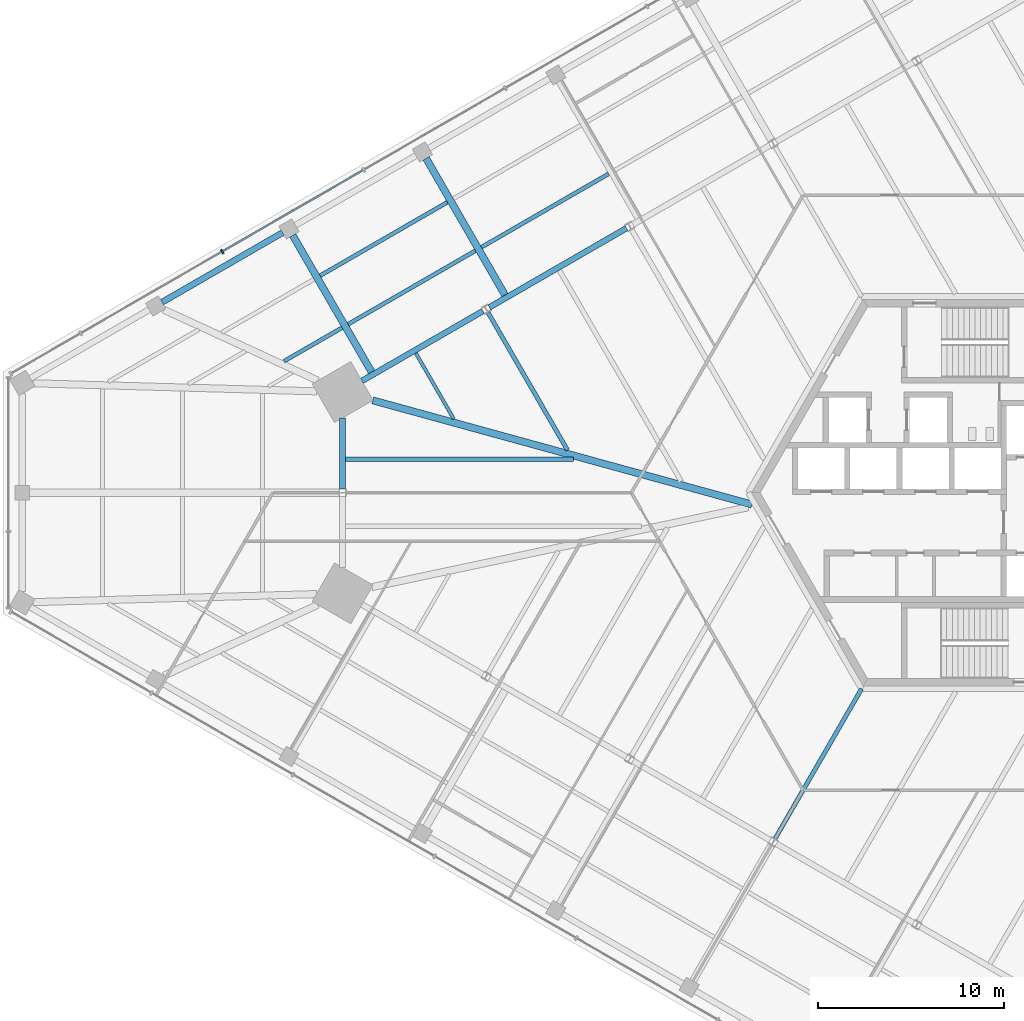
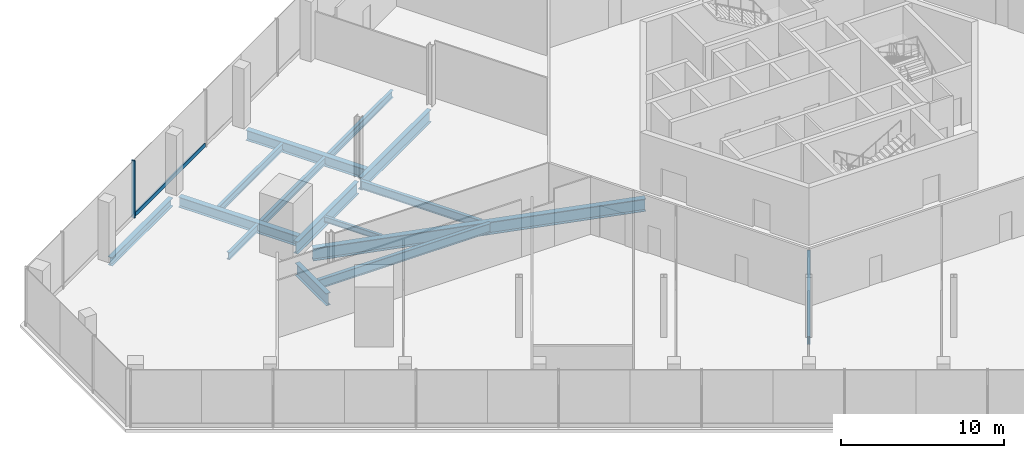
# One storey, part 8 of 25: 15 beams, 2 members, 1 element without a shape of its own.
"""IFC4 building model written with IfcOpenShell, lengths in metres."""

import ifcopenshell
import ifcopenshell.guid

model = None  # the IFC model being written
_history = None  # IfcOwnerHistory: only IFC2X3 demands one
_inside = {}  # id of a spatial element -> (the spatial element, [elements in it])
_under = {}  # id of a project, library or spatial element -> (it, [spatial elements below it])
_declared = {}  # id of a project -> (the project, [libraries it declares])
_typed = {}  # id of a type object -> (the type object, [elements of that type])
_made_of = {}  # id of a material, layer set ... -> (it, [elements and type objects made of it])


def new_model(schema):
    """Start an empty IFC model of exactly this schema.

    Asked for "IFC4X3", IfcOpenShell would pick the latest addendum, in which some entities
    have other attributes; the version numbers below select the first issue.
    IFC2X3 requires an IfcOwnerHistory on every rooted entity: one is made here for all.
    """
    global model, _history
    if schema == "IFC4X3":
        model = ifcopenshell.file(schema_version=(4, 3, 0, 0))
    else:
        model = ifcopenshell.file(schema=schema)
    _inside.clear()
    _under.clear()
    _declared.clear()
    _typed.clear()
    _made_of.clear()
    _history = None
    if model.schema == "IFC2X3":
        org = make("IfcOrganization", Name="unknown")
        user = make(
            "IfcPersonAndOrganization",
            ThePerson=make("IfcPerson", FamilyName="unknown"),
            TheOrganization=org,
        )
        app = make(
            "IfcApplication",
            ApplicationDeveloper=org,
            Version="unknown",
            ApplicationFullName="unknown",
            ApplicationIdentifier="unknown",
        )
        _history = make(
            "IfcOwnerHistory",
            OwningUser=user,
            OwningApplication=app,
            ChangeAction="ADDED",
            CreationDate=0,
        )
    return model


def make(cls, **values):
    """One entity of the class cls with the attributes given. An attribute that is None is left unset."""
    return model.create_entity(
        cls, **{name: value for name, value in values.items() if value is not None}
    )


def rooted(cls, **values):
    """An entity with a GlobalId (a new one), such as an element, a storey or a relation."""
    return make(cls, GlobalId=ifcopenshell.guid.new(), OwnerHistory=_history, **values)


def si_unit(unit_type, name, prefix=None):
    """IfcSIUnit, for example si_unit("LENGTHUNIT", "METRE", prefix="MILLI")."""
    return make("IfcSIUnit", UnitType=unit_type, Prefix=prefix, Name=name)


def assignment(units):
    """IfcUnitAssignment: the units of a project."""
    return None if units is None else make("IfcUnitAssignment", Units=units)


def point(xyz):
    """IfcCartesianPoint."""
    return None if xyz is None else make("IfcCartesianPoint", Coordinates=xyz)


def direction(xyz):
    """IfcDirection."""
    return None if xyz is None else make("IfcDirection", DirectionRatios=xyz)


def frame(location, z_axis=None, x_axis=None):
    """IfcAxis2Placement3D, a coordinate frame: its origin and axes. An axis left out is left unset."""
    return make(
        "IfcAxis2Placement3D",
        Location=point(location),
        Axis=direction(z_axis),
        RefDirection=direction(x_axis),
    )


def frame_2d(location, x_axis=None):
    """IfcAxis2Placement2D, a coordinate frame in the plane: its origin and x axis."""
    return make(
        "IfcAxis2Placement2D", Location=point(location), RefDirection=direction(x_axis)
    )


def origin():
    """The frame at (0, 0, 0) with its axes left unset."""
    return frame((0.0, 0.0, 0.0))


def origin_2d():
    """The frame at (0, 0) in the plane with its x axis left unset."""
    return frame_2d((0.0, 0.0))


def place(relative_to, where):
    """IfcLocalPlacement: puts the frame where relative to a parent placement (None: the world)."""
    return make(
        "IfcLocalPlacement", PlacementRelTo=relative_to, RelativePlacement=where
    )


def context(
    kind, dimensions, precision=None, world=None, true_north=None, identifier=None
):
    """IfcGeometricRepresentationContext, for example the 3D "Model" context."""
    return make(
        "IfcGeometricRepresentationContext",
        ContextIdentifier=identifier,
        ContextType=kind,
        CoordinateSpaceDimension=dimensions,
        Precision=precision,
        WorldCoordinateSystem=world,
        TrueNorth=true_north,
    )


def subcontext(parent, identifier, kind, view, scale=None):
    """IfcGeometricRepresentationSubContext, for example "Body" below "Model"."""
    return make(
        "IfcGeometricRepresentationSubContext",
        ContextIdentifier=identifier,
        ContextType=kind,
        ParentContext=parent,
        TargetScale=scale,
        TargetView=view,
    )


def project(units=None, contexts=None):
    """IfcProject with its units and contexts."""
    return rooted(
        "IfcProject",
        Name="project",
        RepresentationContexts=contexts,
        UnitsInContext=assignment(units),
    )


def spatial(cls, under=None, at=None, **own):
    """A site, building, storey or space (cls), placed at a placement, below another one or the project."""
    s = rooted(cls, ObjectPlacement=at, **own)
    if under is not None:
        _under.setdefault(under.id(), (under, []))[1].append(s)
    return s


def profile(cls, at=None, kind="AREA", **sizes):
    """A parametric profile (cls). Its sizes go by their IFC names, for example OverallWidth=200.0."""
    return make(cls, ProfileType=kind, Position=at, **sizes)


def rectangle(**sizes):
    """IfcRectangleProfileDef."""
    return profile("IfcRectangleProfileDef", **sizes)


def i_section(**sizes):
    """IfcIShapeProfileDef."""
    return profile("IfcIShapeProfileDef", **sizes)


def extrude(swept, where, along, depth):
    """IfcExtrudedAreaSolid: the profile swept, set in the frame where, extruded along a direction by depth."""
    return make(
        "IfcExtrudedAreaSolid",
        SweptArea=swept,
        Position=where,
        ExtrudedDirection=direction(along),
        Depth=depth,
    )


def shape(context_of_items, identifier, shape_type, items):
    """IfcShapeRepresentation: the items that make up one representation, for example the "Body"."""
    return make(
        "IfcShapeRepresentation",
        ContextOfItems=context_of_items,
        RepresentationIdentifier=identifier,
        RepresentationType=shape_type,
        Items=items,
    )


def source(mapping_origin, context_of_items, identifier, shape_type, items):
    """IfcRepresentationMap: a shape defined once, which mapped items show again and again."""
    return make(
        "IfcRepresentationMap",
        MappingOrigin=mapping_origin,
        MappedRepresentation=shape(context_of_items, identifier, shape_type, items),
    )


def transform(
    local_origin,
    x_axis=None,
    y_axis=None,
    z_axis=None,
    scale=None,
    scale2=None,
    scale3=None,
    uniform=True,
):
    """IfcCartesianTransformationOperator3D, or its non-uniform kind. x_axis, y_axis, z_axis: its Axis1, 2, 3."""
    if uniform:
        return make(
            "IfcCartesianTransformationOperator3D",
            Axis1=direction(x_axis),
            Axis2=direction(y_axis),
            LocalOrigin=point(local_origin),
            Scale=scale,
            Axis3=direction(z_axis),
        )
    return make(
        "IfcCartesianTransformationOperator3DnonUniform",
        Axis1=direction(x_axis),
        Axis2=direction(y_axis),
        LocalOrigin=point(local_origin),
        Scale=scale,
        Axis3=direction(z_axis),
        Scale2=scale2,
        Scale3=scale3,
    )


def mapped(mapping_source, mapping_target):
    """IfcMappedItem: shows the shape of a source again, moved by a transform."""
    return make(
        "IfcMappedItem", MappingSource=mapping_source, MappingTarget=mapping_target
    )


def material(Name=None, Category=None):
    """IfcMaterial."""
    return make("IfcMaterial", Name=Name, Category=Category)


def material_profile(
    of_material, cross_section, Name=None, Category=None, Priority=None
):
    """IfcMaterialProfile: a cross section and its material."""
    return make(
        "IfcMaterialProfile",
        Name=Name,
        Material=of_material,
        Profile=cross_section,
        Priority=Priority,
        Category=Category,
    )


def profile_set(profiles, Name=None, composite=None):
    """IfcMaterialProfileSet."""
    return make(
        "IfcMaterialProfileSet",
        Name=Name,
        MaterialProfiles=profiles,
        CompositeProfile=composite,
    )


def made_of(thing, what):
    """Note that an element or type object is made of a material, layer set ...; save() writes the relation."""
    if what is not None:
        _made_of.setdefault(what.id(), (what, []))[1].append(thing)
    return thing


def type_object(cls, material=None, **own):
    """A type object (cls), such as IfcWallType, which elements share."""
    return made_of(rooted(cls, **own), material)


def element(
    cls,
    number,
    at=None,
    inside=None,
    cuts=None,
    type_object=None,
    material=None,
    context=None,
    identifier="Body",
    shape_type=None,
    held_by="IfcProductDefinitionShape",
    body=None,
    shapes=None,
    **own,
):
    """One element of the class cls, such as IfcWall. Its Tag is "e" and its number.

    at: its placement. inside: the storey or other place that contains it. cuts: it is an
    opening in that element (IfcRelVoidsElement). A single representation is given by context,
    identifier, shape_type and body (its items); several are given by shapes. held_by: the class
    of the entity that holds the representations. save() writes the other relations.
    """
    e = rooted(cls, Tag="e%d" % number, ObjectPlacement=at, **own)
    if body is not None:
        shapes = [shape(context, identifier, shape_type, body)]
    if shapes is not None:
        e.Representation = make(held_by, Representations=shapes)
    if inside is not None:
        _inside.setdefault(inside.id(), (inside, []))[1].append(e)
    if cuts is not None:
        rooted(
            "IfcRelVoidsElement", RelatingBuildingElement=cuts, RelatedOpeningElement=e
        )
    if type_object is not None:
        _typed.setdefault(type_object.id(), (type_object, []))[1].append(e)
    return made_of(e, material)


def aggregate(whole, parts):
    """IfcRelAggregates: a whole, such as a stair, and the parts it consists of."""
    return rooted("IfcRelAggregates", RelatingObject=whole, RelatedObjects=parts)


def save(model, path):
    """Write the relations noted so far, then the file.

    IfcRelAggregates (storeys below a building ...), IfcRelContainedInSpatialStructure (elements
    in a storey), IfcRelDefinesByType, IfcRelAssociatesMaterial and IfcRelDeclares: one each for
    every whole, place, type object, material and project.
    """
    for whole, parts in _under.values():
        aggregate(whole, parts)
    for where, things in _inside.values():
        rooted(
            "IfcRelContainedInSpatialStructure",
            RelatedElements=things,
            RelatingStructure=where,
        )
    for kind, things in _typed.values():
        rooted("IfcRelDefinesByType", RelatedObjects=things, RelatingType=kind)
    for what, things in _made_of.values():
        rooted("IfcRelAssociatesMaterial", RelatedObjects=things, RelatingMaterial=what)
    for by, libraries in _declared.values():
        rooted("IfcRelDeclares", RelatingContext=by, RelatedDefinitions=libraries)
    model.write(path)


model = new_model("IFC4")

# Units and contexts
model_context = context("Model", 3, precision=1e-05, world=origin(), true_north=direction((0.0, 1.0)))
body_context = subcontext(model_context, "Body", "Model", "MODEL_VIEW")
ifc_project = project(units=[si_unit("LENGTHUNIT", "METRE"), si_unit("AREAUNIT", "SQUARE_METRE"), si_unit("VOLUMEUNIT", "CUBIC_METRE"), si_unit("PLANEANGLEUNIT", "RADIAN"), si_unit("MASSUNIT", "GRAM", prefix="KILO")], contexts=[model_context])

# Site, building, storey
site_placement = place(None, origin())
site = spatial("IfcSite", under=ifc_project, at=site_placement, CompositionType="ELEMENT")
building_placement = place(site_placement, origin())
building = spatial("IfcBuilding", under=site, at=building_placement, Name="Triune Harvest Tower", CompositionType="ELEMENT")
storey_placement = place(building_placement, frame((0.0, 0.0, 11.5)))
storey = spatial("IfcBuildingStorey", under=building, at=storey_placement, Name="L02", CompositionType="ELEMENT", Elevation=11.5)

# Beams
ifc_material_1 = material(Name="Steel ASTM A992 Gr 50", Category="steel")
ifc_material_profile_1 = material_profile(ifc_material_1, i_section(OverallWidth=0.309814453125, OverallDepth=0.93212890625, WebThickness=0.02099609375, FlangeThickness=0.034423828125, at=origin_2d()), Name="W36x210")
ifc_profile_set_1 = profile_set([ifc_material_profile_1], Name="Steel ASTM A992 Gr 50")
beam_type_1 = type_object("IfcBeamType", Name="SB-3 Spandrel beam W36x210", PredefinedType="SPANDREL", material=ifc_profile_set_1)
shared_shape_1 = source(origin(), body_context, "Body", "SweptSolid", [
    extrude(i_section(OverallWidth=0.309814453125, OverallDepth=0.93212890625, WebThickness=0.02099609375, FlangeThickness=0.034423828125, at=origin_2d()), origin(), (0.0, 0.0, 1.0), 7.508056640625),
])
beam_1_placement = place(storey_placement, frame((-26.447265625, 9.763916015625, -0.666015625), z_axis=(-0.866033425553, -0.499986105632, 0.0), x_axis=(0.499986105632, -0.866033425553, 0.0)))
element("IfcBeam", 1, at=beam_1_placement, inside=storey, type_object=beam_type_1, Name="beam/L02/SB14", PredefinedType="SPANDREL", context=body_context, shape_type="MappedRepresentation", body=[
    mapped(shared_shape_1, transform((0.0, 0.0, 0.0), scale=1.0)),
])
shared_shape_2 = source(origin(), body_context, "Body", "SweptSolid", [
    extrude(i_section(OverallWidth=0.309814453125, OverallDepth=0.93212890625, WebThickness=0.02099609375, FlangeThickness=0.034423828125, at=origin_2d()), origin(), (0.0, 0.0, 1.0), 8.506103515625),
])
beam_2_placement = place(storey_placement, frame((-18.73095703125, 14.218994140625, -0.666015625), z_axis=(-0.866030246746, -0.49999161165, 0.0), x_axis=(0.49999161165, -0.866030246746, 0.0)))
element("IfcBeam", 2, at=beam_2_placement, inside=storey, type_object=beam_type_1, Name="beam/L02/SB13", PredefinedType="SPANDREL", context=body_context, shape_type="MappedRepresentation", body=[
    mapped(shared_shape_2, transform((0.0, 0.0, 0.0), scale=1.0)),
])
shared_shape_3 = source(origin(), body_context, "Body", "SweptSolid", [
    extrude(i_section(OverallWidth=0.309814453125, OverallDepth=0.93212890625, WebThickness=0.02099609375, FlangeThickness=0.034423828125, at=origin_2d()), origin(), (0.0, 0.0, 1.0), 3.822509765625),
])
beam_3_placement = place(storey_placement, frame((-33.988525390625, 4.0244140625, -0.666015625), z_axis=(0.0, -1.0, 0.0), x_axis=(1.0, 0.0, 0.0)))
element("IfcBeam", 3, at=beam_3_placement, inside=storey, type_object=beam_type_1, Name="beam/L02/SB15", PredefinedType="SPANDREL", context=body_context, shape_type="MappedRepresentation", body=[
    mapped(shared_shape_3, transform((0.0, 0.0, 0.0), scale=1.0)),
])
ifc_material_2 = material(Name="Steel ASTM A992 Gr 50", Category="steel")
ifc_material_profile_2 = material_profile(ifc_material_2, i_section(OverallWidth=0.383544921875, OverallDepth=0.9423828125, WebThickness=0.022216796875, FlangeThickness=0.039794921875, at=origin_2d()), Name="W36x232")
ifc_profile_set_2 = profile_set([ifc_material_profile_2], Name="Steel ASTM A992 Gr 50")
beam_type_2 = type_object("IfcBeamType", Name="HG-1 Hip girder W36x232", PredefinedType="BEAM", material=ifc_profile_set_2)
shared_shape_4 = source(origin(), body_context, "Body", "SweptSolid", [
    extrude(i_section(OverallWidth=0.383544921875, OverallDepth=0.9423828125, WebThickness=0.022216796875, FlangeThickness=0.039794921875, at=origin_2d()), origin(), (0.0, 0.0, 1.0), 21.13232421875),
])
beam_4_placement = place(storey_placement, frame((-32.3623046875, 4.963134765625, -0.671142578125), z_axis=(0.964269976316, -0.264921521918, 0.0), x_axis=(0.264921521918, 0.964269976316, 0.0)))
element("IfcBeam", 4, at=beam_4_placement, inside=storey, type_object=beam_type_2, Name="beam/L02/HG4", PredefinedType="BEAM", context=body_context, shape_type="MappedRepresentation", body=[
    mapped(shared_shape_4, transform((0.0, 0.0, 0.0), scale=1.0)),
])
ifc_material_3 = material(Name="Steel ASTM A992 Gr 50", Category="steel")
ifc_material_profile_3 = material_profile(ifc_material_3, i_section(OverallWidth=0.22900390625, OverallDepth=0.612060546875, WebThickness=0.011962890625, FlangeThickness=0.01953125, at=origin_2d()), Name="W24x84")
ifc_profile_set_3 = profile_set([ifc_material_profile_3], Name="Steel ASTM A992 Gr 50")
beam_type_3 = type_object("IfcBeamType", Name="JT-3 Floor joist W24x84", PredefinedType="JOIST", material=ifc_profile_set_3)
shared_shape_5 = source(origin(), body_context, "Body", "SweptSolid", [
    extrude(i_section(OverallWidth=0.22900390625, OverallDepth=0.612060546875, WebThickness=0.011962890625, FlangeThickness=0.01953125, at=origin_2d()), origin(), (0.0, 0.0, 1.0), 8.54736328125),
])
beam_5_placement = place(storey_placement, frame((-26.170654296875, 9.68896484375, -0.506103515625), z_axis=(0.500006795031, -0.866021480636, 0.0), x_axis=(0.866021480636, 0.500006795031, 0.0)))
element("IfcBeam", 5, at=beam_5_placement, inside=storey, type_object=beam_type_3, Name="beam/L02/JT23", PredefinedType="JOIST", context=body_context, shape_type="MappedRepresentation", body=[
    mapped(shared_shape_5, transform((0.0, 0.0, 0.0), scale=1.0)),
])
ifc_material_4 = material(Name="Steel ASTM A992 Gr 50", Category="steel")
ifc_material_profile_4 = material_profile(ifc_material_4, i_section(OverallWidth=0.180908203125, OverallDepth=0.41650390625, WebThickness=0.010986328125, FlangeThickness=0.01806640625, at=origin_2d()), Name="W16x57")
ifc_profile_set_4 = profile_set([ifc_material_profile_4], Name="Steel ASTM A992 Gr 50")
beam_type_4 = type_object("IfcBeamType", Name="JT-1 Floor joist W16x57", PredefinedType="JOIST", material=ifc_profile_set_4)
shared_shape_6 = source(origin(), body_context, "Body", "SweptSolid", [
    extrude(i_section(OverallWidth=0.180908203125, OverallDepth=0.41650390625, WebThickness=0.010986328125, FlangeThickness=0.01806640625, at=origin_2d()), origin(), (0.0, 0.0, 1.0), 4.083984375),
])
beam_6_placement = place(storey_placement, frame((-30.052978515625, 7.50341796875, -0.408203125), z_axis=(0.499996711381, -0.866027302461, 0.0), x_axis=(0.866027302461, 0.499996711381, 0.0)))
element("IfcBeam", 6, at=beam_6_placement, inside=storey, type_object=beam_type_4, Name="beam/L02/JT24", PredefinedType="JOIST", context=body_context, shape_type="MappedRepresentation", body=[
    mapped(shared_shape_6, transform((0.0, 0.0, 0.0), scale=1.0)),
])
ifc_material_5 = material(Name="Steel ASTM A992 Gr 50", Category="steel")
ifc_material_profile_5 = material_profile(ifc_material_5, i_section(OverallWidth=0.253662109375, OverallDepth=0.683349609375, WebThickness=0.012451171875, FlangeThickness=0.01904296875, at=origin_2d()), Name="W27x94")
ifc_profile_set_5 = profile_set([ifc_material_profile_5], Name="Steel ASTM A992 Gr 50")
beam_type_5 = type_object("IfcBeamType", Name="JT-4 Floor joist W27x94", PredefinedType="JOIST", material=ifc_profile_set_5)
shared_shape_7 = source(origin(), body_context, "Body", "SweptSolid", [
    extrude(i_section(OverallWidth=0.253662109375, OverallDepth=0.683349609375, WebThickness=0.012451171875, FlangeThickness=0.01904296875, at=origin_2d()), origin(), (0.0, 0.0, 1.0), 12.24853515625),
])
beam_7_placement = place(storey_placement, frame((-33.833740234375, 1.80322265625, -0.54150390625), z_axis=(1.0, 0.0, 0.0), x_axis=(0.0, 1.0, 0.0)))
element("IfcBeam", 7, at=beam_7_placement, inside=storey, type_object=beam_type_5, Name="beam/L02/JT25", PredefinedType="JOIST", context=body_context, shape_type="MappedRepresentation", body=[
    mapped(shared_shape_7, transform((0.0, 0.0, 0.0), scale=1.0)),
])
shared_shape_8 = source(origin(), body_context, "Body", "SweptSolid", [
    extrude(i_section(OverallWidth=0.22900390625, OverallDepth=0.612060546875, WebThickness=0.011962890625, FlangeThickness=0.01953125, at=origin_2d()), origin(), (0.0, 0.0, 1.0), 9.300537109375),
])
beam_8_placement = place(storey_placement, frame((-10.738037109375, -18.59912109375, -0.506103515625), z_axis=(0.49999285859, 0.86602952684, 0.0), x_axis=(-0.86602952684, 0.49999285859, 0.0)))
element("IfcBeam", 8, at=beam_8_placement, inside=storey, type_object=beam_type_3, Name="beam/L02/JT32", PredefinedType="JOIST", context=body_context, shape_type="MappedRepresentation", body=[
    mapped(shared_shape_8, transform((0.0, 0.0, 0.0), scale=1.0)),
])
ifc_material_6 = material(Name="Steel ASTM A992 Gr 50", Category="steel")
ifc_material_profile_6 = material_profile(ifc_material_6, i_section(OverallWidth=0.32763671875, OverallDepth=0.62744140625, WebThickness=0.0166015625, FlangeThickness=0.027587890625, at=origin_2d()), Name="W24x146")
ifc_profile_set_6 = profile_set([ifc_material_profile_6], Name="Steel ASTM A992 Gr 50")
beam_type_6 = type_object("IfcBeamType", Name="PD-4 Podium edge beam W24x146", PredefinedType="BEAM", material=ifc_profile_set_6)
shared_shape_9 = source(origin(), body_context, "Body", "SweptSolid", [
    extrude(i_section(OverallWidth=0.32763671875, OverallDepth=0.62744140625, WebThickness=0.0166015625, FlangeThickness=0.027587890625, at=origin_2d()), origin(), (0.0, 0.0, 1.0), 7.47998046875),
])
beam_9_placement = place(storey_placement, frame((-37.216064453125, 13.97998046875, -0.513671875), z_axis=(-0.866023067432, -0.500004046659, 0.0), x_axis=(0.500004046659, -0.866023067432, 0.0)))
element("IfcBeam", 9, at=beam_9_placement, inside=storey, type_object=beam_type_6, Name="beam/L02/PE22", PredefinedType="BEAM", context=body_context, shape_type="MappedRepresentation", body=[
    mapped(shared_shape_9, transform((0.0, 0.0, 0.0), scale=1.0)),
])
ifc_material_7 = material(Name="Steel ASTM A992 Gr 50", Category="steel")
ifc_material_profile_7 = material_profile(ifc_material_7, i_section(OverallWidth=0.381103515625, OverallDepth=0.772216796875, WebThickness=0.0166015625, FlangeThickness=0.027099609375, at=origin_2d()), Name="W30x173")
ifc_profile_set_7 = profile_set([ifc_material_profile_7], Name="Steel ASTM A992 Gr 50")
beam_type_7 = type_object("IfcBeamType", Name="PD-3 Podium girder W30x173", PredefinedType="BEAM", material=ifc_profile_set_7)
shared_shape_10 = source(origin(), body_context, "Body", "SweptSolid", [
    extrude(i_section(OverallWidth=0.381103515625, OverallDepth=0.772216796875, WebThickness=0.0166015625, FlangeThickness=0.027099609375, at=origin_2d()), origin(), (0.0, 0.0, 1.0), 8.480712890625),
])
beam_10_placement = place(storey_placement, frame((-29.498779296875, 17.9736328125, -0.586181640625), z_axis=(0.499990755813, -0.866030740852, 0.0), x_axis=(0.866030740852, 0.499990755813, 0.0)))
element("IfcBeam", 10, at=beam_10_placement, inside=storey, type_object=beam_type_7, Name="beam/L02/PR23", PredefinedType="BEAM", context=body_context, shape_type="MappedRepresentation", body=[
    mapped(shared_shape_10, transform((0.0, 0.0, 0.0), scale=1.0)),
])
shared_shape_11 = source(origin(), body_context, "Body", "SweptSolid", [
    extrude(i_section(OverallWidth=0.381103515625, OverallDepth=0.772216796875, WebThickness=0.0166015625, FlangeThickness=0.027099609375, at=origin_2d()), origin(), (0.0, 0.0, 1.0), 8.48046875),
])
beam_11_placement = place(storey_placement, frame((-36.669677734375, 13.83349609375, -0.586181640625), z_axis=(0.50002481252, -0.866011077795, 0.0), x_axis=(0.866011077795, 0.50002481252, 0.0)))
element("IfcBeam", 11, at=beam_11_placement, inside=storey, type_object=beam_type_7, Name="beam/L02/PR24", PredefinedType="BEAM", context=body_context, shape_type="MappedRepresentation", body=[
    mapped(shared_shape_11, transform((0.0, 0.0, 0.0), scale=1.0)),
])
ifc_material_8 = material(Name="Steel ASTM A992 Gr 50", Category="steel")
ifc_material_profile_8 = material_profile(ifc_material_8, i_section(OverallWidth=0.2138671875, OverallDepth=0.548583984375, WebThickness=0.0146484375, FlangeThickness=0.023681640625, at=origin_2d()), Name="W21x93")
ifc_profile_set_8 = profile_set([ifc_material_profile_8], Name="Steel ASTM A992 Gr 50")
beam_type_8 = type_object("IfcBeamType", Name="PD-5 Podium joist W21x93", PredefinedType="JOIST", material=ifc_profile_set_8)
shared_shape_12 = source(origin(), body_context, "Body", "SweptSolid", [
    extrude(i_section(OverallWidth=0.2138671875, OverallDepth=0.548583984375, WebThickness=0.0146484375, FlangeThickness=0.023681640625, at=origin_2d()), origin(), (0.0, 0.0, 1.0), 3.59619140625),
])
beam_12_placement = place(storey_placement, frame((-34.022705078125, 8.8681640625, -0.474365234375), z_axis=(-0.866032969717, -0.499986895192, 0.0), x_axis=(0.499986895192, -0.866032969717, 0.0)))
element("IfcBeam", 12, at=beam_12_placement, inside=storey, type_object=beam_type_8, Name="beam/L02/PJ46", PredefinedType="JOIST", context=body_context, shape_type="MappedRepresentation", body=[
    mapped(shared_shape_12, transform((0.0, 0.0, 0.0), scale=1.0)),
])
shared_shape_13 = source(origin(), body_context, "Body", "SweptSolid", [
    extrude(i_section(OverallWidth=0.2138671875, OverallDepth=0.548583984375, WebThickness=0.0146484375, FlangeThickness=0.023681640625, at=origin_2d()), origin(), (0.0, 0.0, 1.0), 7.899169921875),
])
for number, where, z_axis, x_axis, name in (
    (13, (-19.681396484375, 17.148193359375, -0.474365234375), (-0.866016765394, -0.500014961832, 0.0), (0.500014961832, -0.866016765394, 0.0), "beam/L02/PJ42"),
    (14, (-28.35791015625, 15.616455078125, -0.474365234375), (-0.866030148722, -0.499991781437, 0.0), (0.499991781437, -0.866030148722, 0.0), "beam/L02/PJ43"),
    (15, (-26.85205078125, 13.008056640625, -0.474365234375), (-0.866030148722, -0.499991781437, 0.0), (0.499991781437, -0.866030148722, 0.0), "beam/L02/PJ44"),
):
    element("IfcBeam", number, at=place(storey_placement, frame(where, z_axis=z_axis, x_axis=x_axis)), inside=storey, type_object=beam_type_8, Name=name, PredefinedType="JOIST", context=body_context, shape_type="MappedRepresentation", body=[
        mapped(shared_shape_13, transform((0.0, 0.0, 0.0), scale=1.0)),
    ])

# Curtain wall, members
ifc_material_9 = material(Name="Aluminium bronze anodised", Category="aluminium")
curtain_wall_type = type_object("IfcCurtainWallType", Name="CW-2 Podium shopfront wall", PredefinedType="NOTDEFINED", material=ifc_material_9)
curtain_wall_placement = place(storey_placement, origin())
curtain_wall = element("IfcCurtainWall", 16, at=curtain_wall_placement, inside=storey, type_object=curtain_wall_type, Name="CW-2 PD-F3 L02 run 1")
ifc_material_10 = material(Name="Aluminium bronze anodised", Category="aluminium")
ifc_material_profile_9 = material_profile(ifc_material_10, rectangle(XDim=0.25, YDim=0.090087890625, at=origin_2d()), Name="MU-2 mullion 90 x 250")
ifc_profile_set_9 = profile_set([ifc_material_profile_9], Name="Aluminium bronze anodised")
member_type_1 = type_object("IfcMemberType", Name="MU-2 mullion 90 x 250", PredefinedType="MULLION", material=ifc_profile_set_9)
shared_shape_14 = source(origin(), body_context, "Body", "SweptSolid", [
    extrude(rectangle(XDim=0.25, YDim=0.090087890625, at=origin_2d()), origin(), (0.0, 0.0, 1.0), 4.300048828125),
])
member_1_placement = place(storey_placement, frame((-40.4580078125, 12.9619140625, 0.0), z_axis=(0.0, 0.0, 1.0), x_axis=(0.500000221117, -0.866025276122, 0.0)))
member_1 = element("IfcMember", 17, at=member_1_placement, type_object=member_type_1, Name="CW-2 mullion PD-F3 1.17", PredefinedType="MULLION", context=body_context, shape_type="MappedRepresentation", body=[
    mapped(shared_shape_14, transform((0.0, 0.0, 0.0), scale=1.0)),
])
ifc_material_11 = material(Name="Aluminium bronze anodised", Category="aluminium")
ifc_material_profile_10 = material_profile(ifc_material_11, rectangle(XDim=0.10009765625, YDim=0.300048828125, at=origin_2d()), Name="TR-2 transom 100 x 300")
ifc_profile_set_10 = profile_set([ifc_material_profile_10], Name="Aluminium bronze anodised")
member_type_2 = type_object("IfcMemberType", Name="TR-2 transom 100 x 300", PredefinedType="USERDEFINED", material=ifc_profile_set_10)
shared_shape_15 = source(origin(), body_context, "Body", "SweptSolid", [
    extrude(rectangle(XDim=0.10009765625, YDim=0.300048828125, at=origin_2d()), origin(), (0.0, 0.0, 1.0), 8.69677734375),
])
member_2_placement = place(storey_placement, frame((-32.887451171875, 17.332763671875, 0.14990234375), z_axis=(-0.86602149507, -0.500006770031, 0.0), x_axis=(0.500006770031, -0.86602149507, 0.0)))
member_2 = element("IfcMember", 18, at=member_2_placement, type_object=member_type_2, Name="CW-2 transom PD-F3 1.8", ObjectType="TRANSOM", PredefinedType="USERDEFINED", context=body_context, shape_type="MappedRepresentation", body=[
    mapped(shared_shape_15, transform((0.0, 0.0, 0.0), scale=1.0)),
])
aggregate(curtain_wall, [member_1, member_2])

save(model, "model.ifc")
